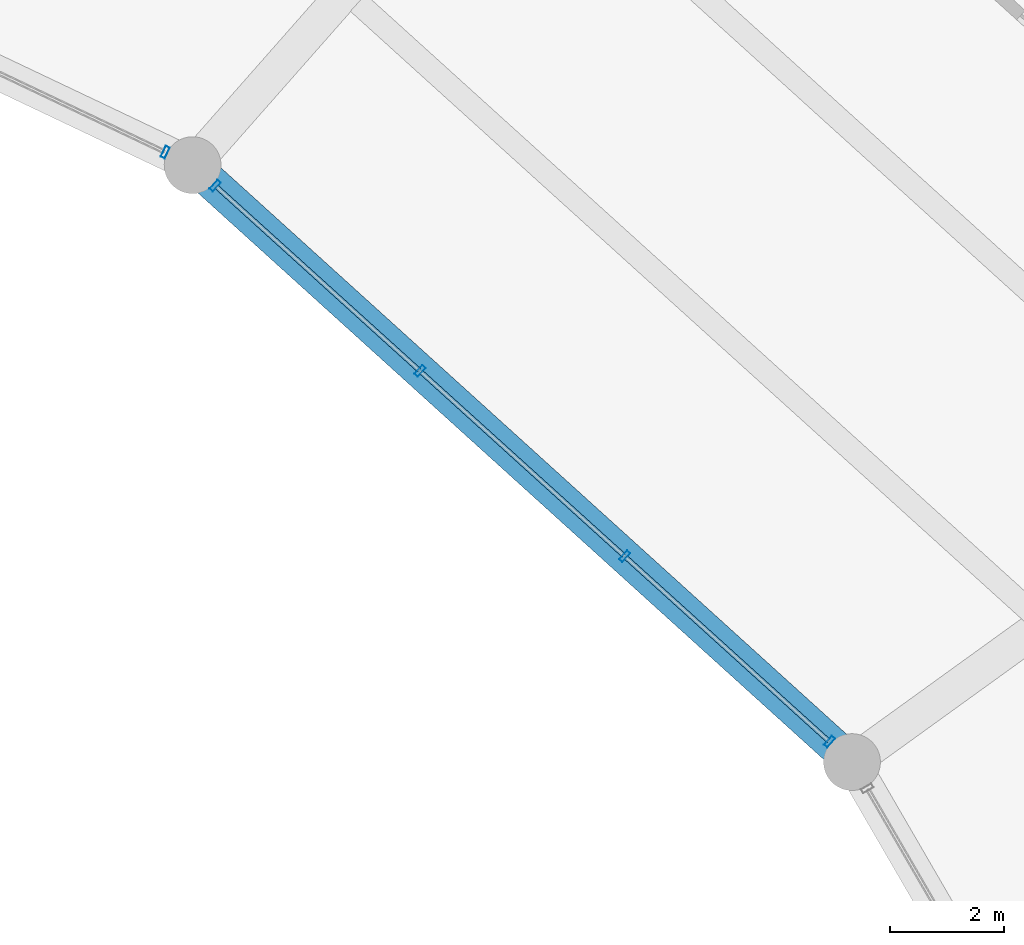
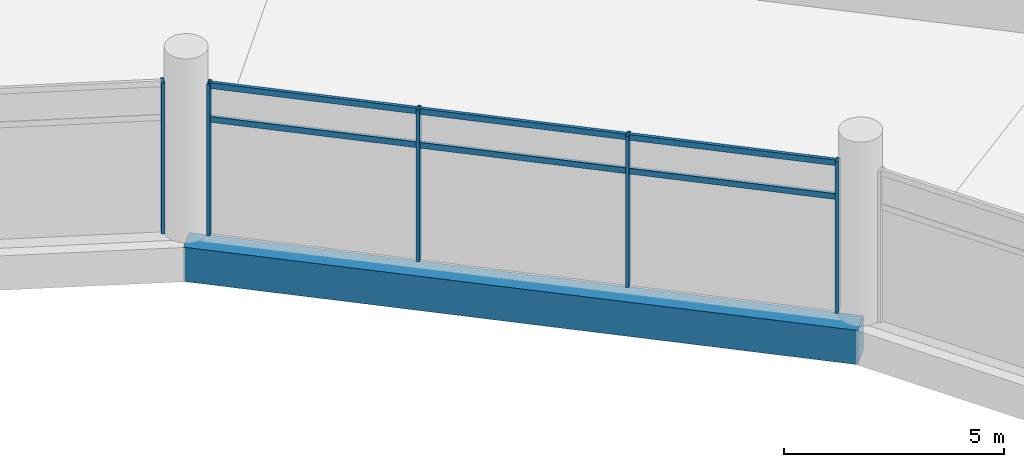
# One storey, part 126 of 184: 11 members, 1 beam, 2 elements without a shape of their own.
"""IFC4 building model written with IfcOpenShell, lengths in metres."""

from ifc_helpers import new_model, si_unit, direction, frame, origin, origin_2d, place, context, subcontext, project, spatial, rectangle, hollow_rectangle, extrude, material, layer, layer_set, material_profile, profile_set, type_object, element, aggregate, save


model = new_model("IFC4")

# Units and contexts
model_context = context("Model", 3, precision=1e-05, world=origin(), true_north=direction((0.0, 1.0)))
body_context = subcontext(model_context, "Body", "Model", "MODEL_VIEW")
ifc_project = project(units=[si_unit("LENGTHUNIT", "METRE"), si_unit("AREAUNIT", "SQUARE_METRE"), si_unit("VOLUMEUNIT", "CUBIC_METRE"), si_unit("PLANEANGLEUNIT", "RADIAN"), si_unit("MASSUNIT", "GRAM", prefix="KILO")], contexts=[model_context])

# Site, building, storey
site_placement = place(None, origin())
site = spatial("IfcSite", under=ifc_project, at=site_placement, CompositionType="ELEMENT")
building_placement = place(site_placement, origin())
building = spatial("IfcBuilding", under=site, at=building_placement, Name="Kazemori Nagisa Stadium", CompositionType="ELEMENT")
storey_placement = place(building_placement, frame((0.0, 0.0, 10.5400390625)))
storey = spatial("IfcBuildingStorey", under=building, at=storey_placement, Name="L02", CompositionType="ELEMENT", Elevation=10.5400390625)

# Beam
ifc_material_1 = material(Name="Concrete C40/50 (Fc42)", Category="concrete")
ifc_material_profile_1 = material_profile(ifc_material_1, rectangle(XDim=0.60009765625, YDim=0.949951171875, at=origin_2d()), Name="RC-BM-600x950")
ifc_profile_set_1 = profile_set([ifc_material_profile_1], Name="Concrete C40/50 (Fc42)")
beam_type = type_object("IfcBeamType", Name="Beam_BG-RC600X950", PredefinedType="BEAM", material=ifc_profile_set_1)
beam_placement = place(storey_placement, frame((180.301513671875, 143.367431640625, -0.735107421875), z_axis=(-0.741349160152, 0.6711195294, 0.0), x_axis=(-0.6711195294, -0.741349160152, 0.0)))
element("IfcBeam", 1, at=beam_placement, inside=storey, type_object=beam_type, Name="Ring girder BG-RC600X950 L02 R1-04", PredefinedType="BEAM", context=body_context, shape_type="SweptSolid", body=[
    extrude(rectangle(XDim=0.60009765625, YDim=0.949951171875, at=origin_2d()), origin(), (0.0, 0.0, 1.0), 15.65380859375),
])

# Curtain wall, members
ifc_material_2 = material(Name="Anodised aluminium 6063-T5", Category="aluminium")
ifc_layer_1 = layer(ifc_material_2, 0.2099609375, Name="Anodised aluminium 6063-T5", Category="aluminium")
ifc_layer_set_1 = layer_set([ifc_layer_1], Name="Anodised aluminium 6063-T5")
curtain_wall_type_1 = type_object("IfcCurtainWallType", Name="CW_L02B_73", PredefinedType="USERDEFINED", material=ifc_layer_set_1)
curtain_wall_1_placement = place(storey_placement, origin())
curtain_wall_1 = element("IfcCurtainWall", 2, at=curtain_wall_1_placement, inside=storey, type_object=curtain_wall_type_1, Name="Unitised curtain wall CW-L02B-73 L02", ObjectType="UNITISED CURTAIN WALL", PredefinedType="USERDEFINED")
ifc_material_3 = material(Name="Aluminium 6063-T5 anodised", Category="aluminium")
ifc_material_profile_2 = material_profile(ifc_material_3, hollow_rectangle(XDim=0.080078125, YDim=0.2099609375, WallThickness=0.0048828125, at=origin_2d()), Name="ALU-MULL-80x210x5")
ifc_profile_set_2 = profile_set([ifc_material_profile_2], Name="Aluminium 6063-T5 anodised")
member_type_1 = type_object("IfcMemberType", Name="Mullion_M02", PredefinedType="MULLION", material=ifc_profile_set_2)
member_1_placement = place(storey_placement, frame((179.905029296875, 143.726318359375, 0.0), z_axis=(0.0, 0.0, 1.0), x_axis=(-0.741350875443, 0.671117634607, 0.0)))
member_1 = element("IfcMember", 3, at=member_1_placement, type_object=member_type_1, Name="Curtain wall mullion CW-L02B-73-M1", PredefinedType="MULLION", context=body_context, shape_type="SweptSolid", body=[
    extrude(hollow_rectangle(XDim=0.080078125, YDim=0.2099609375, WallThickness=0.0048828125, at=origin_2d()), origin(), (0.0, 0.0, 1.0), 4.18994140625),
])
member_2_placement = place(storey_placement, frame((176.301025390625, 146.989013671875, 0.0), z_axis=(0.0, 0.0, 1.0), x_axis=(-0.741350875443, 0.671117634607, 0.0)))
member_2 = element("IfcMember", 4, at=member_2_placement, type_object=member_type_1, Name="Curtain wall mullion CW-L02B-73-M2", PredefinedType="MULLION", context=body_context, shape_type="SweptSolid", body=[
    extrude(hollow_rectangle(XDim=0.080078125, YDim=0.2099609375, WallThickness=0.0048828125, at=origin_2d()), origin(), (0.0, 0.0, 1.0), 4.18994140625),
])
member_3_placement = place(storey_placement, frame((172.697021484375, 150.25146484375, 0.0), z_axis=(0.0, 0.0, 1.0), x_axis=(-0.741350875443, 0.671117634607, 0.0)))
member_3 = element("IfcMember", 5, at=member_3_placement, type_object=member_type_1, Name="Curtain wall mullion CW-L02B-73-M3", PredefinedType="MULLION", context=body_context, shape_type="SweptSolid", body=[
    extrude(hollow_rectangle(XDim=0.080078125, YDim=0.2099609375, WallThickness=0.0048828125, at=origin_2d()), origin(), (0.0, 0.0, 1.0), 4.18994140625),
])
member_4_placement = place(storey_placement, frame((169.09326171875, 153.513916015625, 0.0), z_axis=(0.0, 0.0, 1.0), x_axis=(-0.741350875443, 0.671117634607, 0.0)))
member_4 = element("IfcMember", 6, at=member_4_placement, type_object=member_type_1, Name="Curtain wall mullion CW-L02B-73-M4", PredefinedType="MULLION", context=body_context, shape_type="SweptSolid", body=[
    extrude(hollow_rectangle(XDim=0.080078125, YDim=0.2099609375, WallThickness=0.0048828125, at=origin_2d()), origin(), (0.0, 0.0, 1.0), 4.18994140625),
])

# Curtain wall, member
ifc_layer_2 = layer(ifc_material_2, 0.2099609375, Name="Anodised aluminium 6063-T5", Category="aluminium")
ifc_layer_set_2 = layer_set([ifc_layer_2], Name="Anodised aluminium 6063-T5")
curtain_wall_type_2 = type_object("IfcCurtainWallType", Name="CW_L02B_75", PredefinedType="USERDEFINED", material=ifc_layer_set_2)
curtain_wall_2_placement = place(storey_placement, origin())
curtain_wall_2 = element("IfcCurtainWall", 7, at=curtain_wall_2_placement, inside=storey, type_object=curtain_wall_type_2, Name="Unitised curtain wall CW-L02B-75 L02", ObjectType="UNITISED CURTAIN WALL", PredefinedType="USERDEFINED")
member_5_placement = place(storey_placement, frame((168.21337890625, 154.102783203125, 0.0), z_axis=(0.0, 0.0, 1.0), x_axis=(-0.903215892654, 0.429186499388, 0.0)))
member_5 = element("IfcMember", 8, at=member_5_placement, type_object=member_type_1, Name="Curtain wall mullion CW-L02B-75-M1", PredefinedType="MULLION", context=body_context, shape_type="SweptSolid", body=[
    extrude(hollow_rectangle(XDim=0.080078125, YDim=0.2099609375, WallThickness=0.0048828125, at=origin_2d()), origin(), (0.0, 0.0, 1.0), 4.18994140625),
])
aggregate(curtain_wall_2, [member_5])

# Member
ifc_material_profile_3 = material_profile(ifc_material_3, hollow_rectangle(XDim=0.080078125, YDim=0.159912109375, WallThickness=0.00390625, at=origin_2d()), Name="ALU-TRAN-80x160x4")
ifc_profile_set_3 = profile_set([ifc_material_profile_3], Name="Aluminium 6063-T5 anodised")
member_type_2 = type_object("IfcMemberType", Name="Transom_T02", PredefinedType="USERDEFINED", material=ifc_profile_set_3)
member_6_placement = place(storey_placement, frame((179.89013671875, 143.73974609375, 3.184326171875), z_axis=(-0.741327007297, 0.671143999639, 0.0), x_axis=(-0.671143999639, -0.741327007297, 0.0)))
member_6 = element("IfcMember", 9, at=member_6_placement, type_object=member_type_2, Name="Curtain wall transom CW-L02B-73-T1-mid", ObjectType="TRANSOM", PredefinedType="USERDEFINED", context=body_context, shape_type="SweptSolid", body=[
    extrude(hollow_rectangle(XDim=0.080078125, YDim=0.159912109375, WallThickness=0.00390625, at=origin_2d()), origin(), (0.0, 0.0, 1.0), 4.8212890625),
])

member_7_placement = place(storey_placement, frame((179.89013671875, 143.73974609375, 4.119873046875), z_axis=(-0.741327007297, 0.671143999639, 0.0), x_axis=(-0.671143999639, -0.741327007297, 0.0)))
member_7 = element("IfcMember", 10, at=member_7_placement, type_object=member_type_2, Name="Curtain wall transom CW-L02B-73-T1-head", ObjectType="TRANSOM", PredefinedType="USERDEFINED", context=body_context, shape_type="SweptSolid", body=[
    extrude(hollow_rectangle(XDim=0.080078125, YDim=0.159912109375, WallThickness=0.00390625, at=origin_2d()), origin(), (0.0, 0.0, 1.0), 4.8212890625),
])

member_8_placement = place(storey_placement, frame((176.2861328125, 147.00244140625, 3.184326171875), z_axis=(-0.741352201466, 0.671116169811, 0.0), x_axis=(-0.671116169811, -0.741352201466, 0.0)))
member_8 = element("IfcMember", 11, at=member_8_placement, type_object=member_type_2, Name="Curtain wall transom CW-L02B-73-T2-mid", ObjectType="TRANSOM", PredefinedType="USERDEFINED", context=body_context, shape_type="SweptSolid", body=[
    extrude(hollow_rectangle(XDim=0.080078125, YDim=0.159912109375, WallThickness=0.00390625, at=origin_2d()), origin(), (0.0, 0.0, 1.0), 4.8212890625),
])

member_9_placement = place(storey_placement, frame((176.2861328125, 147.00244140625, 4.119873046875), z_axis=(-0.741352201466, 0.671116169811, 0.0), x_axis=(-0.671116169811, -0.741352201466, 0.0)))
member_9 = element("IfcMember", 12, at=member_9_placement, type_object=member_type_2, Name="Curtain wall transom CW-L02B-73-T2-head", ObjectType="TRANSOM", PredefinedType="USERDEFINED", context=body_context, shape_type="SweptSolid", body=[
    extrude(hollow_rectangle(XDim=0.080078125, YDim=0.159912109375, WallThickness=0.00390625, at=origin_2d()), origin(), (0.0, 0.0, 1.0), 4.8212890625),
])

member_10_placement = place(storey_placement, frame((172.682373046875, 150.264892578125, 3.184326171875), z_axis=(-0.741375007746, 0.671090975866, 0.0), x_axis=(-0.671090975866, -0.741375007746, 0.0)))
member_10 = element("IfcMember", 13, at=member_10_placement, type_object=member_type_2, Name="Curtain wall transom CW-L02B-73-T3-mid", ObjectType="TRANSOM", PredefinedType="USERDEFINED", context=body_context, shape_type="SweptSolid", body=[
    extrude(hollow_rectangle(XDim=0.080078125, YDim=0.159912109375, WallThickness=0.00390625, at=origin_2d()), origin(), (0.0, 0.0, 1.0), 4.8212890625),
])

member_11_placement = place(storey_placement, frame((172.682373046875, 150.264892578125, 4.119873046875), z_axis=(-0.741375007746, 0.671090975866, 0.0), x_axis=(-0.671090975866, -0.741375007746, 0.0)))
member_11 = element("IfcMember", 14, at=member_11_placement, type_object=member_type_2, Name="Curtain wall transom CW-L02B-73-T3-head", ObjectType="TRANSOM", PredefinedType="USERDEFINED", context=body_context, shape_type="SweptSolid", body=[
    extrude(hollow_rectangle(XDim=0.080078125, YDim=0.159912109375, WallThickness=0.00390625, at=origin_2d()), origin(), (0.0, 0.0, 1.0), 4.8212890625),
])

aggregate(curtain_wall_1, [member_1, member_2, member_3, member_4, member_6, member_7, member_8, member_9, member_10, member_11])

save(model, "model.ifc")
